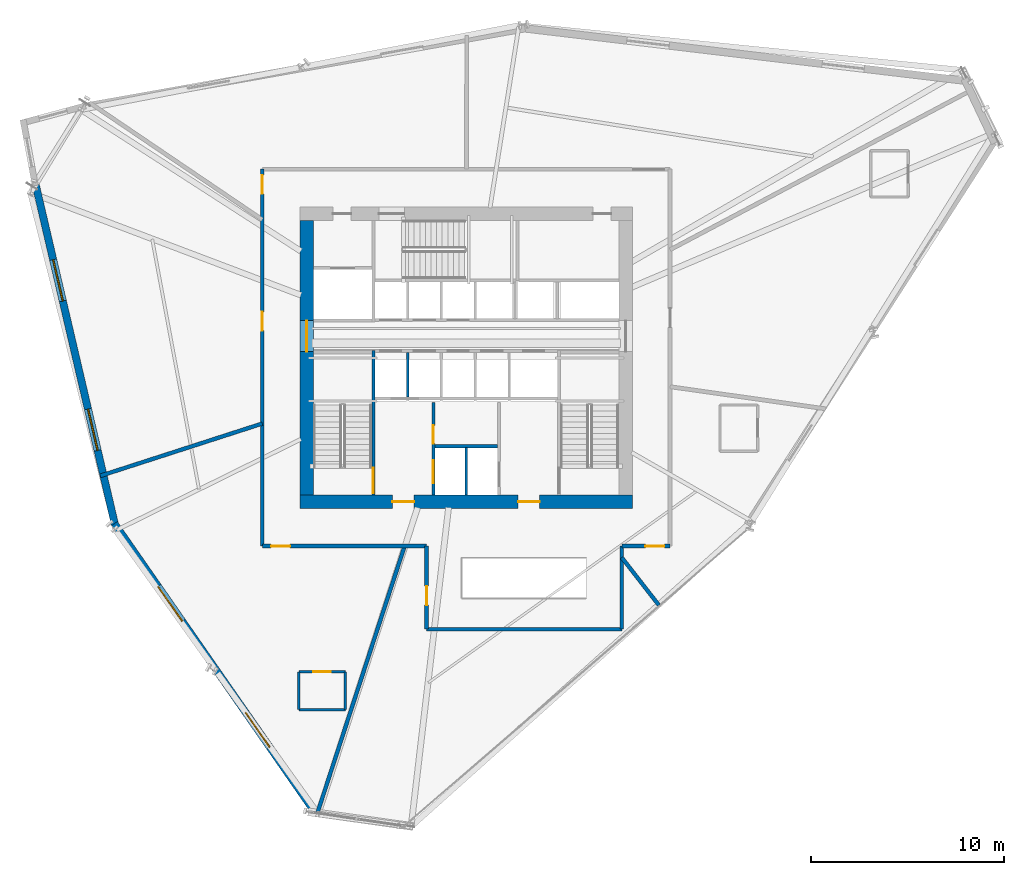
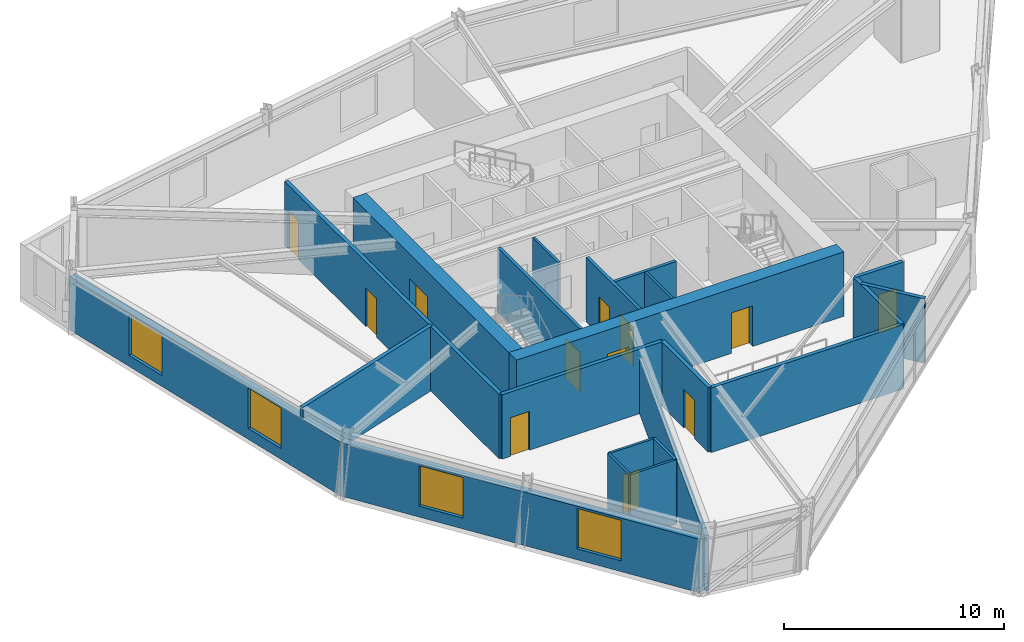
# One storey, part 11 of 16: 22 walls, 12 doors, 4 windows, 16 openings.
"""IFC4 building model written with IfcOpenShell, lengths in metres."""

from ifc_helpers import new_model, si_unit, direction, frame, frame_2d, origin, place, context, subcontext, project, spatial, rectangle, extrude, source, transform, mapped, material, layer, layer_set, type_object, type_shapes, element, fill, save


model = new_model("IFC4")

# Units and contexts
model_context = context("Model", 3, precision=1e-05, world=origin(), true_north=direction((0.0, 1.0)))
body_context = subcontext(model_context, "Body", "Model", "MODEL_VIEW")
ifc_project = project(units=[si_unit("LENGTHUNIT", "METRE"), si_unit("AREAUNIT", "SQUARE_METRE"), si_unit("VOLUMEUNIT", "CUBIC_METRE"), si_unit("PLANEANGLEUNIT", "RADIAN"), si_unit("MASSUNIT", "GRAM", prefix="KILO")], contexts=[model_context])

# Site, building, storey
site_placement = place(None, origin())
site = spatial("IfcSite", under=ifc_project, at=site_placement, CompositionType="ELEMENT")
building_placement = place(site_placement, origin())
building = spatial("IfcBuilding", under=site, at=building_placement, Name="Olszyna Solenne Hotel", CompositionType="ELEMENT")
storey_placement = place(building_placement, frame((0.0, 0.0, 138.10009765625)))
storey = spatial("IfcBuildingStorey", under=building, at=storey_placement, Name="L36", CompositionType="ELEMENT", Elevation=138.10009765625)

# Wall, openings, doors
ifc_material_1 = material(Name="Concrete C60/75", Category="concrete")
ifc_layer_1 = layer(ifc_material_1, 0.699951171875, Name="Concrete C60/75")
ifc_layer_set_1 = layer_set([ifc_layer_1], Name="Concrete C60/75")
wall_type_1 = type_object("IfcWallType", Name="WL-CR700", PredefinedType="SHEAR", material=ifc_layer_set_1)
wall_1_placement = place(storey_placement, frame((46.60009765625, 19.14990234375, 0.0), z_axis=(0.0, 0.0, 1.0), x_axis=(-1.0, 0.0, 0.0)))
wall_1 = element("IfcWall", 1, at=wall_1_placement, inside=storey, type_object=wall_type_1, Name="Core shear wall WL-CR700 CRW-L36-S", PredefinedType="SHEAR", context=body_context, shape_type="SweptSolid", body=[
    extrude(rectangle(XDim=17.2001953125, YDim=0.699951171875, at=frame_2d((8.60009765625, 0.0))), origin(), (0.0, 0.0, 1.0), 3.579833984375),
])
opening_1_placement = place(wall_1_placement, frame((4.800048828125, 0.0, 0.0)))
opening_1 = element("IfcOpeningElement", 2, at=opening_1_placement, cuts=wall_1, Name="Opening FL-L36-1", PredefinedType="OPENING", context=body_context, shape_type="SweptSolid", body=[
    extrude(rectangle(XDim=1.1201171875, YDim=2.25, at=frame_2d((0.56005859375, 1.125))), frame((0.0, 0.35986328125, 0.0), z_axis=(0.0, -1.0, 0.0), x_axis=(1.0, 0.0, 0.0)), (0.0, 0.0, 1.0), 0.719970703125),
])
opening_2_placement = place(wall_1_placement, frame((11.300048828125, 0.0, 0.0)))
opening_2 = element("IfcOpeningElement", 3, at=opening_2_placement, cuts=wall_1, Name="Opening FL-L36-2", PredefinedType="OPENING", context=body_context, shape_type="SweptSolid", body=[
    extrude(rectangle(XDim=1.1201171875, YDim=2.25, at=frame_2d((0.56005859375, 1.125))), frame((0.0, 0.35986328125, 0.0), z_axis=(0.0, -1.0, 0.0), x_axis=(1.0, 0.0, 0.0)), (0.0, 0.0, 1.0), 0.719970703125),
])
ifc_material_2 = material(Name="Steel S355J2", Category="steel")
door_type_1 = type_object("IfcDoorType", Name="DR-FL1", OperationType="NOTDEFINED", PredefinedType="DOOR", material=ifc_material_2)
shared_shape_1 = source(origin(), body_context, "Body", "SweptSolid", [
    extrude(rectangle(XDim=1.1201171875, YDim=2.25, at=frame_2d((0.56005859375, 1.125))), frame((0.0, 0.02490234375, 0.0), z_axis=(0.0, -1.0, 0.0), x_axis=(1.0, 0.0, 0.0)), (0.0, 0.0, 1.0), 0.050048828125),
])
type_shapes(door_type_1, [shared_shape_1])
door_1_placement = place(opening_1_placement, origin())
door_1 = element("IfcDoor", 4, at=door_1_placement, inside=storey, type_object=door_type_1, Name="Firefighting lift lobby smoke door FL-L36-1", OperationType="SINGLE_SWING_LEFT", OverallHeight=2.25, OverallWidth=1.1201171875, PredefinedType="DOOR", context=body_context, shape_type="MappedRepresentation", body=[
    mapped(shared_shape_1, transform((0.0, 0.0, 0.0), x_axis=(1.0, 0.0, 0.0), y_axis=(0.0, 1.0, 0.0), z_axis=(0.0, 0.0, 1.0), scale=1.0)),
])
fill(opening_1, door_1)
door_2_placement = place(opening_2_placement, origin())
door_2 = element("IfcDoor", 5, at=door_2_placement, inside=storey, type_object=door_type_1, Name="Firefighting lift lobby smoke door FL-L36-2", OperationType="SINGLE_SWING_RIGHT", OverallHeight=2.25, OverallWidth=1.1201171875, PredefinedType="DOOR", context=body_context, shape_type="MappedRepresentation", body=[
    mapped(shared_shape_1, transform((0.0, 0.0, 0.0), x_axis=(1.0, 0.0, 0.0), y_axis=(0.0, 1.0, 0.0), z_axis=(0.0, 0.0, 1.0), scale=1.0)),
])
fill(opening_2, door_2)

# Wall, opening, door
wall_2_placement = place(storey_placement, frame((29.75, 19.5, 0.0), z_axis=(0.0, 0.0, 1.0), x_axis=(0.0, 1.0, 0.0)))
wall_2 = element("IfcWall", 6, at=wall_2_placement, inside=storey, type_object=wall_type_1, Name="Core shear wall WL-CR700 CRW-L36-W", PredefinedType="SHEAR", context=body_context, shape_type="SweptSolid", body=[
    extrude(rectangle(XDim=14.199951171875, YDim=0.699951171875, at=frame_2d((7.10009765625, 0.0))), origin(), (0.0, 0.0, 1.0), 3.579833984375),
])
opening_3_placement = place(wall_2_placement, frame((7.419921875, 0.0, 0.0)))
opening_3 = element("IfcOpeningElement", 7, at=opening_3_placement, cuts=wall_2, Name="Opening LHD-L36-W", PredefinedType="OPENING", context=body_context, shape_type="SweptSolid", body=[
    extrude(rectangle(XDim=1.60009765625, YDim=2.199951171875, at=frame_2d((0.800048828125, 1.10009765625))), frame((0.0, 0.35986328125, 0.0), z_axis=(0.0, -1.0, 0.0), x_axis=(1.0, 0.0, 0.0)), (0.0, 0.0, 1.0), 0.719970703125),
])
ifc_material_3 = material(Name="Timber hardwood", Category="wood")
door_type_2 = type_object("IfcDoorType", Name="DR-CR1", OperationType="DOUBLE_DOOR_SINGLE_SWING", PredefinedType="DOOR", material=ifc_material_3)
shared_shape_2 = source(origin(), body_context, "Body", "SweptSolid", [
    extrude(rectangle(XDim=1.60009765625, YDim=2.199951171875, at=frame_2d((0.800048828125, 1.10009765625))), frame((0.0, 0.02490234375, 0.0), z_axis=(0.0, -1.0, 0.0), x_axis=(1.0, 0.0, 0.0)), (0.0, 0.0, 1.0), 0.050048828125),
])
type_shapes(door_type_2, [shared_shape_2])
door_3_placement = place(opening_3_placement, origin())
door_3 = element("IfcDoor", 8, at=door_3_placement, inside=storey, type_object=door_type_2, Name="Passenger lift lobby West fire door LHD-L36-W", OperationType="DOUBLE_DOOR_SINGLE_SWING", OverallHeight=2.199951171875, OverallWidth=1.60009765625, PredefinedType="DOOR", context=body_context, shape_type="MappedRepresentation", body=[
    mapped(shared_shape_2, transform((0.0, 0.0, 0.0), x_axis=(1.0, 0.0, 0.0), y_axis=(0.0, 1.0, 0.0), z_axis=(0.0, 0.0, 1.0), scale=1.0)),
])
fill(opening_3, door_3)

# Wall, openings, windows
ifc_material_4 = material(Name="Terracotta cladding on precast concrete C45/55", Category="masonry")
ifc_layer_2 = layer(ifc_material_4, 0.3798828125, Name="Terracotta cladding on precast concrete C45/55")
ifc_layer_set_2 = layer_set([ifc_layer_2], Name="Terracotta cladding on precast concrete C45/55")
wall_type_2 = type_object("IfcWallType", Name="WL-EX380", PredefinedType="SOLIDWALL", material=ifc_layer_set_2)
wall_3_placement = place(storey_placement, frame((30.09033203125, 3.195068359375, 0.0), z_axis=(0.0, 0.0, 1.0), x_axis=(-0.57033951124, 0.821409058824, 0.0)))
wall_3 = element("IfcWall", 9, at=wall_3_placement, inside=storey, type_object=wall_type_2, Name="Exterior terracotta-precast frame wall WL-EX380 EW-L36-03", PredefinedType="SOLIDWALL", context=body_context, shape_type="SweptSolid", body=[
    extrude(rectangle(XDim=18.0419921875, YDim=0.3798828125, at=frame_2d((9.02099609375, 0.0))), origin(), (0.0, 0.0, 1.0), 2.971923828125),
])
opening_4_placement = place(wall_3_placement, frame((3.951904296875, 0.0, 0.60205078125)))
opening_4 = element("IfcOpeningElement", 10, at=opening_4_placement, cuts=wall_3, Name="Opening WN-L36-213", PredefinedType="OPENING", context=body_context, shape_type="SweptSolid", body=[
    extrude(rectangle(XDim=2.199951171875, YDim=2.25, at=frame_2d((1.10009765625, 1.125))), frame((0.0, 0.199951171875, 0.0), z_axis=(0.0, -1.0, 0.0), x_axis=(1.0, 0.0, 0.0)), (0.0, 0.0, 1.0), 0.39990234375),
])
opening_5_placement = place(wall_3_placement, frame((11.889892578125, 0.0, 0.60205078125)))
opening_5 = element("IfcOpeningElement", 11, at=opening_5_placement, cuts=wall_3, Name="Opening WN-L36-214", PredefinedType="OPENING", context=body_context, shape_type="SweptSolid", body=[
    extrude(rectangle(XDim=2.199951171875, YDim=2.25, at=frame_2d((1.10009765625, 1.125))), frame((0.0, 0.199951171875, 0.0), z_axis=(0.0, -1.0, 0.0), x_axis=(1.0, 0.0, 0.0)), (0.0, 0.0, 1.0), 0.39990234375),
])
ifc_material_5 = material(Name="Low-E triple glazing", Category="glass")
window_type = type_object("IfcWindowType", Name="WN-HT2", PartitioningType="SINGLE_PANEL", PredefinedType="WINDOW", material=ifc_material_5)
shared_shape_3 = source(origin(), body_context, "Body", "SweptSolid", [
    extrude(rectangle(XDim=2.199951171875, YDim=2.25, at=frame_2d((1.10009765625, 1.125))), frame((0.0, 0.030029296875, 0.0), z_axis=(0.0, -1.0, 0.0), x_axis=(1.0, 0.0, 0.0)), (0.0, 0.0, 1.0), 0.06005859375),
])
type_shapes(window_type, [shared_shape_3])
window_1_placement = place(opening_4_placement, origin())
window_1 = element("IfcWindow", 12, at=window_1_placement, inside=storey, type_object=window_type, Name="Exterior facade window WN-HT2 WN-L36-213", OverallHeight=2.25, OverallWidth=2.199951171875, PartitioningType="SINGLE_PANEL", PredefinedType="WINDOW", context=body_context, shape_type="MappedRepresentation", body=[
    mapped(shared_shape_3, transform((0.0, 0.0, 0.0), x_axis=(1.0, 0.0, 0.0), y_axis=(0.0, 1.0, 0.0), z_axis=(0.0, 0.0, 1.0), scale=1.0)),
])
fill(opening_4, window_1)
window_2_placement = place(opening_5_placement, origin())
window_2 = element("IfcWindow", 13, at=window_2_placement, inside=storey, type_object=window_type, Name="Exterior facade window WN-HT2 WN-L36-214", OverallHeight=2.25, OverallWidth=2.199951171875, PartitioningType="SINGLE_PANEL", PredefinedType="WINDOW", context=body_context, shape_type="MappedRepresentation", body=[
    mapped(shared_shape_3, transform((0.0, 0.0, 0.0), x_axis=(1.0, 0.0, 0.0), y_axis=(0.0, 1.0, 0.0), z_axis=(0.0, 0.0, 1.0), scale=1.0)),
])
fill(opening_5, window_2)

wall_4_placement = place(storey_placement, frame((19.8291015625, 17.94970703125, 0.0), z_axis=(0.0, 0.0, 1.0), x_axis=(-0.22713293769, 0.973863762862, 0.0)))
wall_4 = element("IfcWall", 14, at=wall_4_placement, inside=storey, type_object=wall_type_2, Name="Exterior terracotta-precast frame wall WL-EX380 EW-L36-04", PredefinedType="SOLIDWALL", context=body_context, shape_type="SweptSolid", body=[
    extrude(rectangle(XDim=18.041748046875, YDim=0.3798828125, at=frame_2d((9.02099609375, 0.0))), origin(), (0.0, 0.0, 1.0), 2.971923828125),
])
opening_6_placement = place(wall_4_placement, frame((3.951904296875, 0.0, 0.60205078125)))
opening_6 = element("IfcOpeningElement", 15, at=opening_6_placement, cuts=wall_4, Name="Opening WN-L36-215", PredefinedType="OPENING", context=body_context, shape_type="SweptSolid", body=[
    extrude(rectangle(XDim=2.199951171875, YDim=2.25, at=frame_2d((1.10009765625, 1.125))), frame((0.0, 0.199951171875, 0.0), z_axis=(0.0, -1.0, 0.0), x_axis=(1.0, 0.0, 0.0)), (0.0, 0.0, 1.0), 0.39990234375),
])
opening_7_placement = place(wall_4_placement, frame((11.889892578125, 0.0, 0.60205078125)))
opening_7 = element("IfcOpeningElement", 16, at=opening_7_placement, cuts=wall_4, Name="Opening WN-L36-216", PredefinedType="OPENING", context=body_context, shape_type="SweptSolid", body=[
    extrude(rectangle(XDim=2.199951171875, YDim=2.25, at=frame_2d((1.10009765625, 1.125))), frame((0.0, 0.199951171875, 0.0), z_axis=(0.0, -1.0, 0.0), x_axis=(1.0, 0.0, 0.0)), (0.0, 0.0, 1.0), 0.39990234375),
])
window_3_placement = place(opening_6_placement, origin())
window_3 = element("IfcWindow", 17, at=window_3_placement, inside=storey, type_object=window_type, Name="Exterior facade window WN-HT2 WN-L36-215", OverallHeight=2.25, OverallWidth=2.199951171875, PartitioningType="SINGLE_PANEL", PredefinedType="WINDOW", context=body_context, shape_type="MappedRepresentation", body=[
    mapped(shared_shape_3, transform((0.0, 0.0, 0.0), x_axis=(1.0, 0.0, 0.0), y_axis=(0.0, 1.0, 0.0), z_axis=(0.0, 0.0, 1.0), scale=1.0)),
])
fill(opening_6, window_3)
window_4_placement = place(opening_7_placement, origin())
window_4 = element("IfcWindow", 18, at=window_4_placement, inside=storey, type_object=window_type, Name="Exterior facade window WN-HT2 WN-L36-216", OverallHeight=2.25, OverallWidth=2.199951171875, PartitioningType="SINGLE_PANEL", PredefinedType="WINDOW", context=body_context, shape_type="MappedRepresentation", body=[
    mapped(shared_shape_3, transform((0.0, 0.0, 0.0), x_axis=(1.0, 0.0, 0.0), y_axis=(0.0, 1.0, 0.0), z_axis=(0.0, 0.0, 1.0), scale=1.0)),
])
fill(opening_7, window_4)

# Walls
ifc_material_6 = material(Name="Acoustic gypsum partition", Category="gypsum")
ifc_layer_3 = layer(ifc_material_6, 0.125, Name="Acoustic gypsum partition")
ifc_layer_set_3 = layer_set([ifc_layer_3], Name="Acoustic gypsum partition")
wall_type_3 = type_object("IfcWallType", Name="WL-PT125", PredefinedType="PARTITIONING", material=ifc_layer_set_3)
wall_5_placement = place(storey_placement, frame((38.0, 19.5, 0.0), z_axis=(0.0, 0.0, 1.0), x_axis=(0.0, 1.0, 0.0)))
element("IfcWall", 19, at=wall_5_placement, inside=storey, type_object=wall_type_3, Name="Core shaft compartment wall CW-L36-FFM", PredefinedType="PARTITIONING", context=body_context, shape_type="SweptSolid", body=[
    extrude(rectangle(XDim=2.4599609375, YDim=0.125, at=frame_2d((1.22998046875, 0.0))), origin(), (0.0, 0.0, 1.0), 3.579833984375),
])
wall_6_placement = place(storey_placement, frame((34.965087890625, 24.56005859375, 0.0), z_axis=(0.0, 0.0, 1.0), x_axis=(0.0, 1.0, 0.0)))
element("IfcWall", 20, at=wall_6_placement, inside=storey, type_object=wall_type_3, Name="Core shaft compartment wall CW-L36-DIVS349", PredefinedType="PARTITIONING", context=body_context, shape_type="SweptSolid", body=[
    extrude(rectangle(XDim=2.31005859375, YDim=0.125, at=frame_2d((1.155029296875, 0.0))), origin(), (0.0, 0.0, 1.0), 3.579833984375),
])
wall_7_placement = place(storey_placement, frame((31.74609375, 8.39111328125, 0.0), z_axis=(0.0, 0.0, 1.0), x_axis=(0.0, 1.0, 0.0)))
element("IfcWall", 21, at=wall_7_placement, inside=storey, type_object=wall_type_3, Name="Interior acoustic partition WL-PT125 PW-L36-2069", PredefinedType="PARTITIONING", context=body_context, shape_type="SweptSolid", body=[
    extrude(rectangle(XDim=1.949951171875, YDim=0.125, at=frame_2d((0.97509765625, 0.0))), origin(), (0.0, 0.0, 1.0), 3.579833984375),
])

# Wall, opening, door
wall_8_placement = place(storey_placement, frame((31.74609375, 10.341064453125, 0.0), z_axis=(0.0, 0.0, 1.0), x_axis=(-1.0, 0.0, 0.0)))
wall_8 = element("IfcWall", 22, at=wall_8_placement, inside=storey, type_object=wall_type_3, Name="Interior acoustic partition WL-PT125 PW-L36-2070", PredefinedType="PARTITIONING", context=body_context, shape_type="SweptSolid", body=[
    extrude(rectangle(XDim=2.400146484375, YDim=0.125, at=frame_2d((1.2001953125, 0.0))), origin(), (0.0, 0.0, 1.0), 3.579833984375),
])
opening_8_placement = place(wall_8_placement, frame((0.75, 0.0, 0.0)))
opening_8 = element("IfcOpeningElement", 23, at=opening_8_placement, cuts=wall_8, Name="Opening DR-L36-0500", PredefinedType="OPENING", context=body_context, shape_type="SweptSolid", body=[
    extrude(rectangle(XDim=0.89990234375, YDim=2.10009765625, at=frame_2d((0.449951171875, 1.050048828125))), frame((0.0, 0.072509765625, 0.0), z_axis=(0.0, -1.0, 0.0), x_axis=(1.0, 0.0, 0.0)), (0.0, 0.0, 1.0), 0.14501953125),
])
door_type_3 = type_object("IfcDoorType", Name="DR-WC1", OperationType="NOTDEFINED", PredefinedType="DOOR", material=ifc_material_3)
shared_shape_4 = source(origin(), body_context, "Body", "SweptSolid", [
    extrude(rectangle(XDim=0.89990234375, YDim=2.10009765625, at=frame_2d((0.449951171875, 1.050048828125))), frame((0.0, 0.02490234375, 0.0), z_axis=(0.0, -1.0, 0.0), x_axis=(1.0, 0.0, 0.0)), (0.0, 0.0, 1.0), 0.050048828125),
])
type_shapes(door_type_3, [shared_shape_4])
door_4_placement = place(opening_8_placement, origin())
door_4 = element("IfcDoor", 24, at=door_4_placement, inside=storey, type_object=door_type_3, Name="En-Suite Bathroom Door DR-L36-0500", OperationType="SINGLE_SWING_RIGHT", OverallHeight=2.10009765625, OverallWidth=0.89990234375, PredefinedType="DOOR", context=body_context, shape_type="MappedRepresentation", body=[
    mapped(shared_shape_4, transform((0.0, 0.0, 0.0), x_axis=(1.0, 0.0, 0.0), y_axis=(0.0, 1.0, 0.0), z_axis=(0.0, 0.0, 1.0), scale=1.0)),
])
fill(opening_8, door_4)

# Walls
wall_9_placement = place(storey_placement, frame((29.345947265625, 10.341064453125, 0.0), z_axis=(0.0, 0.0, 1.0), x_axis=(0.0, -1.0, 0.0)))
element("IfcWall", 25, at=wall_9_placement, inside=storey, type_object=wall_type_3, Name="Interior acoustic partition WL-PT125 PW-L36-2071", PredefinedType="PARTITIONING", context=body_context, shape_type="SweptSolid", body=[
    extrude(rectangle(XDim=1.949951171875, YDim=0.125, at=frame_2d((0.97509765625, 0.0))), origin(), (0.0, 0.0, 1.0), 3.579833984375),
])
wall_10_placement = place(storey_placement, frame((29.345947265625, 8.39111328125, 0.0), z_axis=(0.0, 0.0, 1.0), x_axis=(1.0, 0.0, 0.0)))
element("IfcWall", 26, at=wall_10_placement, inside=storey, type_object=wall_type_3, Name="Interior acoustic partition WL-PT125 PW-L36-2072", PredefinedType="PARTITIONING", context=body_context, shape_type="SweptSolid", body=[
    extrude(rectangle(XDim=2.400146484375, YDim=0.125, at=frame_2d((1.2001953125, 0.0))), origin(), (0.0, 0.0, 1.0), 3.579833984375),
])

# Wall, opening, door
ifc_layer_4 = layer(ifc_material_6, 0.159912109375, Name="Acoustic gypsum partition")
ifc_layer_set_4 = layer_set([ifc_layer_4], Name="Acoustic gypsum partition")
wall_type_4 = type_object("IfcWallType", Name="WL-PT160", PredefinedType="PARTITIONING", material=ifc_layer_set_4)
wall_11_placement = place(storey_placement, frame((33.199951171875, 19.5, 0.0), z_axis=(0.0, 0.0, 1.0), x_axis=(0.0, 1.0, 0.0)))
wall_11 = element("IfcWall", 27, at=wall_11_placement, inside=storey, type_object=wall_type_4, Name="Core shaft compartment wall CW-L36-ST1E", PredefinedType="PARTITIONING", context=body_context, shape_type="SweptSolid", body=[
    extrude(rectangle(XDim=7.4599609375, YDim=0.159912109375, at=frame_2d((3.72998046875, 0.0))), origin(), (0.0, 0.0, 1.0), 3.579833984375),
])
opening_9_placement = place(wall_11_placement, frame((0.080078125, 0.0, 0.0)))
opening_9 = element("IfcOpeningElement", 28, at=opening_9_placement, cuts=wall_11, Name="Opening STD-L36-01", PredefinedType="OPENING", context=body_context, shape_type="SweptSolid", body=[
    extrude(rectangle(XDim=1.320068359375, YDim=2.199951171875, at=frame_2d((0.66015625, 1.10009765625))), frame((0.0, 0.08984375, 0.0), z_axis=(0.0, -1.0, 0.0), x_axis=(1.0, 0.0, 0.0)), (0.0, 0.0, 1.0), 0.179931640625),
])
door_type_4 = type_object("IfcDoorType", Name="DR-ST1", OperationType="NOTDEFINED", PredefinedType="DOOR", material=ifc_material_2)
shared_shape_5 = source(origin(), body_context, "Body", "SweptSolid", [
    extrude(rectangle(XDim=1.320068359375, YDim=2.199951171875, at=frame_2d((0.66015625, 1.10009765625))), frame((0.0, 0.02490234375, 0.0), z_axis=(0.0, -1.0, 0.0), x_axis=(1.0, 0.0, 0.0)), (0.0, 0.0, 1.0), 0.050048828125),
])
type_shapes(door_type_4, [shared_shape_5])
door_5_placement = place(opening_9_placement, origin())
door_5 = element("IfcDoor", 29, at=door_5_placement, inside=storey, type_object=door_type_4, Name="Pressurised exit stair ST1 fire door STD-L36-01", OperationType="SINGLE_SWING_LEFT", OverallHeight=2.199951171875, OverallWidth=1.320068359375, PredefinedType="DOOR", context=body_context, shape_type="MappedRepresentation", body=[
    mapped(shared_shape_5, transform((0.0, 0.0, 0.0), x_axis=(1.0, 0.0, 0.0), y_axis=(0.0, 1.0, 0.0), z_axis=(0.0, 0.0, 1.0), scale=1.0)),
])
fill(opening_9, door_5)

# Wall, openings, doors
wall_12_placement = place(storey_placement, frame((36.300048828125, 19.5, 0.0), z_axis=(0.0, 0.0, 1.0), x_axis=(0.0, 1.0, 0.0)))
wall_12 = element("IfcWall", 30, at=wall_12_placement, inside=storey, type_object=wall_type_4, Name="Core shaft compartment wall CW-L36-FF1W", PredefinedType="PARTITIONING", context=body_context, shape_type="SweptSolid", body=[
    extrude(rectangle(XDim=4.780029296875, YDim=0.159912109375, at=frame_2d((2.39013671875, 0.0))), origin(), (0.0, 0.0, 1.0), 3.579833984375),
])
opening_10_placement = place(wall_12_placement, frame((0.60009765625, 0.0, 0.0)))
opening_10 = element("IfcOpeningElement", 31, at=opening_10_placement, cuts=wall_12, Name="Opening LD-L36-FF1", PredefinedType="OPENING", context=body_context, shape_type="SweptSolid", body=[
    extrude(rectangle(XDim=1.199951171875, YDim=2.199951171875, at=frame_2d((0.60009765625, 1.10009765625))), frame((0.0, 0.08984375, 0.0), z_axis=(0.0, -1.0, 0.0), x_axis=(1.0, 0.0, 0.0)), (0.0, 0.0, 1.0), 0.179931640625),
])
opening_11_placement = place(wall_12_placement, frame((2.64990234375, 0.0, 0.0)))
opening_11 = element("IfcOpeningElement", 32, at=opening_11_placement, cuts=wall_12, Name="Opening SVD-L36-SMK", PredefinedType="OPENING", context=body_context, shape_type="SweptSolid", body=[
    extrude(rectangle(XDim=0.949951171875, YDim=2.10009765625, at=frame_2d((0.47509765625, 1.050048828125))), frame((0.0, 0.08984375, 0.0), z_axis=(0.0, -1.0, 0.0), x_axis=(1.0, 0.0, 0.0)), (0.0, 0.0, 1.0), 0.179931640625),
])
door_type_5 = type_object("IfcDoorType", Name="DR-SV1", OperationType="NOTDEFINED", PredefinedType="DOOR", material=ifc_material_2)
shared_shape_6 = source(origin(), body_context, "Body", "SweptSolid", [
    extrude(rectangle(XDim=0.949951171875, YDim=2.10009765625, at=frame_2d((0.47509765625, 1.050048828125))), frame((0.0, 0.02490234375, 0.0), z_axis=(0.0, -1.0, 0.0), x_axis=(1.0, 0.0, 0.0)), (0.0, 0.0, 1.0), 0.050048828125),
])
type_shapes(door_type_5, [shared_shape_6])
door_6_placement = place(opening_11_placement, origin())
door_6 = element("IfcDoor", 33, at=door_6_placement, inside=storey, type_object=door_type_5, Name="Valet and core service room door SVD-L36-SMK", OperationType="SINGLE_SWING_LEFT", OverallHeight=2.10009765625, OverallWidth=0.949951171875, PredefinedType="DOOR", context=body_context, shape_type="MappedRepresentation", body=[
    mapped(shared_shape_6, transform((0.0, 0.0, 0.0), x_axis=(1.0, 0.0, 0.0), y_axis=(0.0, 1.0, 0.0), z_axis=(0.0, 0.0, 1.0), scale=1.0)),
])
fill(opening_11, door_6)
door_type_6 = type_object("IfcDoorType", Name="LD-FF1", OperationType="DOUBLE_DOOR_SLIDING", PredefinedType="DOOR", material=ifc_material_2)
shared_shape_7 = source(origin(), body_context, "Body", "SweptSolid", [
    extrude(rectangle(XDim=1.199951171875, YDim=2.199951171875, at=frame_2d((0.60009765625, 1.10009765625))), frame((0.0, 0.02490234375, 0.0), z_axis=(0.0, -1.0, 0.0), x_axis=(1.0, 0.0, 0.0)), (0.0, 0.0, 1.0), 0.050048828125),
])
type_shapes(door_type_6, [shared_shape_7])
door_7_placement = place(opening_10_placement, origin())
door_7 = element("IfcDoor", 34, at=door_7_placement, inside=storey, type_object=door_type_6, Name="Firefighters lift FF1 sliding landing door LD-L36-FF1", OperationType="DOUBLE_DOOR_SLIDING", OverallHeight=2.199951171875, OverallWidth=1.199951171875, PredefinedType="DOOR", context=body_context, shape_type="MappedRepresentation", body=[
    mapped(shared_shape_7, transform((0.0, 0.0, 0.0), x_axis=(1.0, 0.0, 0.0), y_axis=(0.0, 1.0, 0.0), z_axis=(0.0, 0.0, 1.0), scale=1.0)),
])
fill(opening_10, door_7)

# Walls
wall_13_placement = place(storey_placement, frame((36.3798828125, 22.02001953125, 0.0), z_axis=(0.0, 0.0, 1.0), x_axis=(1.0, 0.0, 0.0)))
element("IfcWall", 35, at=wall_13_placement, inside=storey, type_object=wall_type_4, Name="Core shaft compartment wall CW-L36-FFN", PredefinedType="PARTITIONING", context=body_context, shape_type="SweptSolid", body=[
    extrude(rectangle(XDim=3.240234375, YDim=0.159912109375, at=frame_2d((1.6201171875, 0.0))), origin(), (0.0, 0.0, 1.0), 3.579833984375),
])
ifc_layer_5 = layer(ifc_material_6, 0.199951171875, Name="Acoustic gypsum partition")
ifc_layer_set_5 = layer_set([ifc_layer_5], Name="Acoustic gypsum partition")
wall_type_5 = type_object("IfcWallType", Name="WL-PT200", PredefinedType="PARTITIONING", material=ifc_layer_set_5)
wall_14_placement = place(storey_placement, frame((27.449951171875, 23.1923828125, 0.0), z_axis=(0.0, 0.0, 1.0), x_axis=(-0.951598248923, -0.307344713061, 0.0)))
element("IfcWall", 36, at=wall_14_placement, inside=storey, type_object=wall_type_5, Name="Interior acoustic partition WL-PT200 PW-L36-2065", PredefinedType="PARTITIONING", context=body_context, shape_type="SweptSolid", body=[
    extrude(rectangle(XDim=8.802978515625, YDim=0.199951171875, at=frame_2d((4.4013671875, 0.0))), origin(), (0.0, 0.0, 1.0), 3.579833984375),
])
wall_15_placement = place(storey_placement, frame((34.813232421875, 16.85009765625, 0.0), z_axis=(0.0, 0.0, 1.0), x_axis=(-0.31067365158, -0.95051663963, 0.0)))
element("IfcWall", 37, at=wall_15_placement, inside=storey, type_object=wall_type_5, Name="Interior acoustic partition WL-PT200 PW-L36-2066", PredefinedType="PARTITIONING", context=body_context, shape_type="SweptSolid", body=[
    extrude(rectangle(XDim=14.506591796875, YDim=0.199951171875, at=frame_2d((7.25341796875, 0.0))), origin(), (0.0, 0.0, 1.0), 3.074951171875),
])
wall_16_placement = place(storey_placement, frame((46.050048828125, 16.25927734375, 0.0), z_axis=(0.0, 0.0, 1.0), x_axis=(0.614254285098, -0.789108150533, 0.0)))
element("IfcWall", 38, at=wall_16_placement, inside=storey, type_object=wall_type_5, Name="Interior acoustic partition WL-PT200 PW-L36-2067", PredefinedType="PARTITIONING", context=body_context, shape_type="SweptSolid", body=[
    extrude(rectangle(XDim=3.124755859375, YDim=0.199951171875, at=frame_2d((1.5625, 0.0))), origin(), (0.0, 0.0, 1.0), 3.579833984375),
])

# Wall, opening, door
wall_17_placement = place(storey_placement, frame((27.449951171875, 16.85009765625, 0.0), z_axis=(0.0, 0.0, 1.0), x_axis=(1.0, 0.0, 0.0)))
wall_17 = element("IfcWall", 39, at=wall_17_placement, inside=storey, type_object=wall_type_5, Name="Interior acoustic partition WL-PT200 PW-L36-2081", PredefinedType="PARTITIONING", context=body_context, shape_type="SweptSolid", body=[
    extrude(rectangle(XDim=8.5, YDim=0.199951171875, at=frame_2d((4.25, 0.0))), origin(), (0.0, 0.0, 1.0), 3.579833984375),
])
opening_12_placement = place(wall_17_placement, frame((0.4619140625, 0.0, 0.0)))
opening_12 = element("IfcOpeningElement", 40, at=opening_12_placement, cuts=wall_17, Name="Opening DR-L36-0503", PredefinedType="OPENING", context=body_context, shape_type="SweptSolid", body=[
    extrude(rectangle(XDim=0.97998046875, YDim=2.14990234375, at=frame_2d((0.489990234375, 1.074951171875))), frame((0.0, 0.10986328125, 0.0), z_axis=(0.0, -1.0, 0.0), x_axis=(1.0, 0.0, 0.0)), (0.0, 0.0, 1.0), 0.219970703125),
])
door_type_7 = type_object("IfcDoorType", Name="DR-RM1", OperationType="NOTDEFINED", PredefinedType="DOOR", material=ifc_material_3)
shared_shape_8 = source(origin(), body_context, "Body", "SweptSolid", [
    extrude(rectangle(XDim=0.97998046875, YDim=2.14990234375, at=frame_2d((0.489990234375, 1.074951171875))), frame((0.0, 0.02490234375, 0.0), z_axis=(0.0, -1.0, 0.0), x_axis=(1.0, 0.0, 0.0)), (0.0, 0.0, 1.0), 0.050048828125),
])
type_shapes(door_type_7, [shared_shape_8])
door_8_placement = place(opening_12_placement, origin())
door_8 = element("IfcDoor", 41, at=door_8_placement, inside=storey, type_object=door_type_7, Name="Horizon Suite Entrance Door DR-L36-0503", OperationType="SINGLE_SWING_RIGHT", OverallHeight=2.14990234375, OverallWidth=0.97998046875, PredefinedType="DOOR", context=body_context, shape_type="MappedRepresentation", body=[
    mapped(shared_shape_8, transform((0.0, 0.0, 0.0), x_axis=(1.0, 0.0, 0.0), y_axis=(0.0, 1.0, 0.0), z_axis=(0.0, 0.0, 1.0), scale=1.0)),
])
fill(opening_12, door_8)

wall_18_placement = place(storey_placement, frame((46.050048828125, 16.85009765625, 0.0), z_axis=(0.0, 0.0, 1.0), x_axis=(1.0, 0.0, 0.0)))
wall_18 = element("IfcWall", 42, at=wall_18_placement, inside=storey, type_object=wall_type_5, Name="Interior acoustic partition WL-PT200 PW-L36-2082", PredefinedType="PARTITIONING", context=body_context, shape_type="SweptSolid", body=[
    extrude(rectangle(XDim=2.5, YDim=0.199951171875, at=frame_2d((1.25, 0.0))), origin(), (0.0, 0.0, 1.0), 3.579833984375),
])
opening_13_placement = place(wall_18_placement, frame((1.219970703125, 0.0, 0.0)))
opening_13 = element("IfcOpeningElement", 43, at=opening_13_placement, cuts=wall_18, Name="Opening DR-L36-0504", PredefinedType="OPENING", context=body_context, shape_type="SweptSolid", body=[
    extrude(rectangle(XDim=0.97998046875, YDim=2.14990234375, at=frame_2d((0.489990234375, 1.074951171875))), frame((0.0, 0.10986328125, 0.0), z_axis=(0.0, -1.0, 0.0), x_axis=(1.0, 0.0, 0.0)), (0.0, 0.0, 1.0), 0.219970703125),
])
door_9_placement = place(opening_13_placement, origin())
door_9 = element("IfcDoor", 44, at=door_9_placement, inside=storey, type_object=door_type_7, Name="Botanical Atrium Suite Entrance Door DR-L36-0504", OperationType="SINGLE_SWING_RIGHT", OverallHeight=2.14990234375, OverallWidth=0.97998046875, PredefinedType="DOOR", context=body_context, shape_type="MappedRepresentation", body=[
    mapped(shared_shape_8, transform((0.0, 0.0, 0.0), x_axis=(1.0, 0.0, 0.0), y_axis=(0.0, 1.0, 0.0), z_axis=(0.0, 0.0, 1.0), scale=1.0)),
])
fill(opening_13, door_9)

# Wall, openings, doors
wall_19_placement = place(storey_placement, frame((27.449951171875, 16.85009765625, 0.0), z_axis=(0.0, 0.0, 1.0), x_axis=(0.0, 1.0, 0.0)))
wall_19 = element("IfcWall", 45, at=wall_19_placement, inside=storey, type_object=wall_type_5, Name="Interior acoustic partition WL-PT200 PW-L36-2083", PredefinedType="PARTITIONING", context=body_context, shape_type="SweptSolid", body=[
    extrude(rectangle(XDim=19.5, YDim=0.199951171875, at=frame_2d((9.75, 0.0))), origin(), (0.0, 0.0, 1.0), 3.579833984375),
])
opening_14_placement = place(wall_19_placement, frame((18.219970703125, 0.0, 0.0)))
opening_14 = element("IfcOpeningElement", 46, at=opening_14_placement, cuts=wall_19, Name="Opening DR-L36-0505", PredefinedType="OPENING", context=body_context, shape_type="SweptSolid", body=[
    extrude(rectangle(XDim=0.97998046875, YDim=2.14990234375, at=frame_2d((0.489990234375, 1.074951171875))), frame((0.0, 0.10986328125, 0.0), z_axis=(0.0, -1.0, 0.0), x_axis=(1.0, 0.0, 0.0)), (0.0, 0.0, 1.0), 0.219970703125),
])
opening_15_placement = place(wall_19_placement, frame((11.14501953125, 0.0, 0.0)))
opening_15 = element("IfcOpeningElement", 47, at=opening_15_placement, cuts=wall_19, Name="Opening DR-L36-0506", PredefinedType="OPENING", context=body_context, shape_type="SweptSolid", body=[
    extrude(rectangle(XDim=0.97998046875, YDim=2.14990234375, at=frame_2d((0.489990234375, 1.074951171875))), frame((0.0, 0.10986328125, 0.0), z_axis=(0.0, -1.0, 0.0), x_axis=(1.0, 0.0, 0.0)), (0.0, 0.0, 1.0), 0.219970703125),
])
door_10_placement = place(opening_14_placement, origin())
door_10 = element("IfcDoor", 48, at=door_10_placement, inside=storey, type_object=door_type_7, Name="Sky Lobby Lounge Entrance Door DR-L36-0505", OperationType="SINGLE_SWING_RIGHT", OverallHeight=2.14990234375, OverallWidth=0.97998046875, PredefinedType="DOOR", context=body_context, shape_type="MappedRepresentation", body=[
    mapped(shared_shape_8, transform((0.0, 0.0, 0.0), x_axis=(1.0, 0.0, 0.0), y_axis=(0.0, 1.0, 0.0), z_axis=(0.0, 0.0, 1.0), scale=1.0)),
])
fill(opening_14, door_10)
door_11_placement = place(opening_15_placement, origin())
door_11 = element("IfcDoor", 49, at=door_11_placement, inside=storey, type_object=door_type_7, Name="Botanical Tea Pavilion Entrance Door DR-L36-0506", OperationType="SINGLE_SWING_LEFT", OverallHeight=2.14990234375, OverallWidth=0.97998046875, PredefinedType="DOOR", context=body_context, shape_type="MappedRepresentation", body=[
    mapped(shared_shape_8, transform((0.0, 0.0, 0.0), x_axis=(1.0, 0.0, 0.0), y_axis=(0.0, 1.0, 0.0), z_axis=(0.0, 0.0, 1.0), scale=1.0)),
])
fill(opening_15, door_11)

# Wall, opening, door
wall_20_placement = place(storey_placement, frame((35.949951171875, 12.550048828125, 0.0), z_axis=(0.0, 0.0, 1.0), x_axis=(0.0, 1.0, 0.0)))
wall_20 = element("IfcWall", 50, at=wall_20_placement, inside=storey, type_object=wall_type_5, Name="Interior acoustic partition WL-PT200 PW-L36-2086", PredefinedType="PARTITIONING", context=body_context, shape_type="SweptSolid", body=[
    extrude(rectangle(XDim=4.300048828125, YDim=0.199951171875, at=frame_2d((2.14990234375, 0.0))), origin(), (0.0, 0.0, 1.0), 3.579833984375),
])
opening_16_placement = place(wall_20_placement, frame((1.25, 0.0, 0.0)))
opening_16 = element("IfcOpeningElement", 51, at=opening_16_placement, cuts=wall_20, Name="Opening DR-L36-0509", PredefinedType="OPENING", context=body_context, shape_type="SweptSolid", body=[
    extrude(rectangle(XDim=0.97998046875, YDim=2.14990234375, at=frame_2d((0.489990234375, 1.074951171875))), frame((0.0, 0.10986328125, 0.0), z_axis=(0.0, -1.0, 0.0), x_axis=(1.0, 0.0, 0.0)), (0.0, 0.0, 1.0), 0.219970703125),
])
door_12_placement = place(opening_16_placement, origin())
door_12 = element("IfcDoor", 52, at=door_12_placement, inside=storey, type_object=door_type_7, Name="Executive Meeting Salon Entrance Door DR-L36-0509", OperationType="SINGLE_SWING_LEFT", OverallHeight=2.14990234375, OverallWidth=0.97998046875, PredefinedType="DOOR", context=body_context, shape_type="MappedRepresentation", body=[
    mapped(shared_shape_8, transform((0.0, 0.0, 0.0), x_axis=(1.0, 0.0, 0.0), y_axis=(0.0, 1.0, 0.0), z_axis=(0.0, 0.0, 1.0), scale=1.0)),
])
fill(opening_16, door_12)

# Walls
wall_21_placement = place(storey_placement, frame((46.050048828125, 12.550048828125, 0.0), z_axis=(0.0, 0.0, 1.0), x_axis=(0.0, 1.0, 0.0)))
element("IfcWall", 53, at=wall_21_placement, inside=storey, type_object=wall_type_5, Name="Interior acoustic partition WL-PT200 PW-L36-2087", PredefinedType="PARTITIONING", context=body_context, shape_type="SweptSolid", body=[
    extrude(rectangle(XDim=4.300048828125, YDim=0.199951171875, at=frame_2d((2.14990234375, 0.0))), origin(), (0.0, 0.0, 1.0), 3.579833984375),
])
wall_22_placement = place(storey_placement, frame((35.949951171875, 12.550048828125, 0.0), z_axis=(0.0, 0.0, 1.0), x_axis=(1.0, 0.0, 0.0)))
element("IfcWall", 54, at=wall_22_placement, inside=storey, type_object=wall_type_5, Name="Interior acoustic partition WL-PT200 PW-L36-2088", PredefinedType="PARTITIONING", context=body_context, shape_type="SweptSolid", body=[
    extrude(rectangle(XDim=10.10009765625, YDim=0.199951171875, at=frame_2d((5.050048828125, 0.0))), origin(), (0.0, 0.0, 1.0), 3.579833984375),
])

save(model, "model.ifc")
